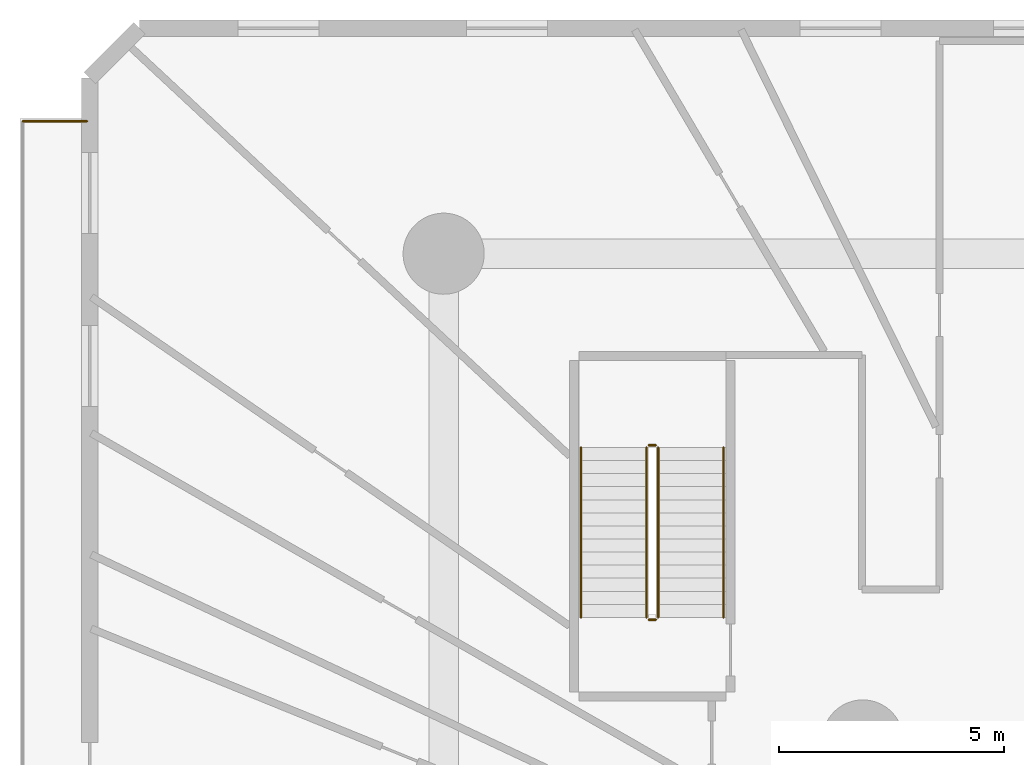
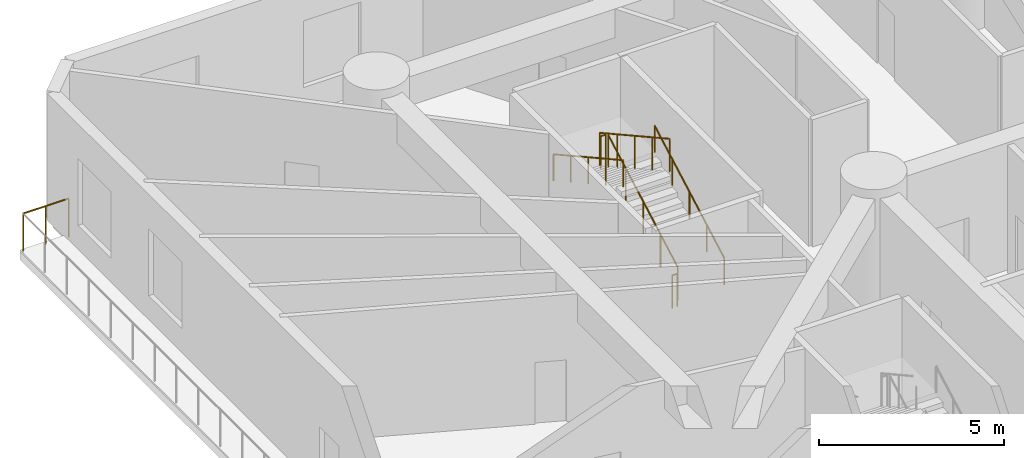
# One storey, part 24 of 26: 7 railings.
"""IFC4 building model written with IfcOpenShell, lengths in metres."""

from ifc_helpers import new_model, si_unit, direction, frame, origin, origin_2d, place, context, subcontext, project, spatial, circle, extrude, material, layer, layer_set, type_object, element, save


model = new_model("IFC4")

# Units and contexts
model_context = context("Model", 3, precision=1e-05, world=origin(), true_north=direction((0.0, 1.0)))
body_context = subcontext(model_context, "Body", "Model", "MODEL_VIEW")
ifc_project = project(units=[si_unit("LENGTHUNIT", "METRE"), si_unit("AREAUNIT", "SQUARE_METRE"), si_unit("VOLUMEUNIT", "CUBIC_METRE"), si_unit("PLANEANGLEUNIT", "RADIAN"), si_unit("MASSUNIT", "GRAM", prefix="KILO")], contexts=[model_context])

# Site, building, storey
site_placement = place(None, origin())
site = spatial("IfcSite", under=ifc_project, at=site_placement, CompositionType="ELEMENT")
building_placement = place(site_placement, origin())
building = spatial("IfcBuilding", under=site, at=building_placement, Name="Karkom Vertical University and Central Library", CompositionType="ELEMENT")
storey_placement = place(building_placement, frame((0.0, 0.0, 4.5)))
storey = spatial("IfcBuildingStorey", under=building, at=storey_placement, Name="L01", CompositionType="ELEMENT", Elevation=4.5)

# Railings
ifc_material_1 = material(Name="Architectural painted steel & laminated glass balustrade", Category="steel")
ifc_layer_1 = layer(ifc_material_1, 0.090087890625)
ifc_layer_set_1 = layer_set([ifc_layer_1], Name="Architectural painted steel & laminated glass balustrade")
railing_type_1 = type_object("IfcRailingType", Name="ENV-RL-BAL1300", PredefinedType="BALUSTRADE", material=ifc_layer_set_1)
railing_1_placement = place(storey_placement, frame((0.860107421875, 48.43994140625, 0.0)))
element("IfcRailing", 1, at=railing_1_placement, inside=storey, type_object=railing_type_1, Name="Level 01 Planted Terrace Safety Balustrade 02", PredefinedType="BALUSTRADE", context=body_context, shape_type="SweptSolid", body=[
    extrude(circle(Radius=0.02392578125, at=origin_2d()), frame((0.0, 0.0, 1.27587890625), z_axis=(1.0, 0.0, 0.0), x_axis=(0.0, 1.0, 0.0)), (0.0, 0.0, 1.0), 1.429931640625),
    extrude(circle(Radius=0.02099609375, at=origin_2d()), origin(), (0.0, 0.0, 1.0), 1.251953125),
    extrude(circle(Radius=0.02099609375, at=origin_2d()), frame((0.71484375, 0.0, 0.0)), (0.0, 0.0, 1.0), 1.251953125),
    extrude(circle(Radius=0.02099609375, at=origin_2d()), frame((1.429931640625, 0.0, 0.0)), (0.0, 0.0, 1.0), 1.251953125),
])
ifc_material_2 = material(Name="Painted galvanised steel balustrade", Category="steel")
ifc_layer_2 = layer(ifc_material_2, 0.06005859375)
ifc_layer_set_2 = layer_set([ifc_layer_2], Name="Painted galvanised steel balustrade")
railing_type_2 = type_object("IfcRailingType", Name="INT-RL-GUARD1100", PredefinedType="GUARDRAIL", material=ifc_layer_set_2)
railing_2_placement = place(storey_placement, frame((14.9599609375, 37.429931640625, 0.16064453125)))
element("IfcRailing", 2, at=railing_2_placement, inside=storey, type_object=railing_type_2, Name="Level 01 POD-ST2 stair guard 1", PredefinedType="GUARDRAIL", context=body_context, shape_type="SweptSolid", body=[
    extrude(circle(Radius=0.02392578125, at=origin_2d()), frame((0.0, 0.0, 1.076171875), z_axis=(0.0, 0.874659101714, 0.484738543742), x_axis=(-1.0, 0.0, 0.0)), (0.0, 0.0, 1.0), 4.310302734375),
    extrude(circle(Radius=0.02099609375, at=origin_2d()), origin(), (0.0, 0.0, 1.0), 1.052001953125),
    extrude(circle(Radius=0.02099609375, at=origin_2d()), frame((0.0, 0.9423828125, 0.5224609375)), (0.0, 0.0, 1.0), 1.052001953125),
    extrude(circle(Radius=0.02099609375, at=origin_2d()), frame((0.0, 1.885009765625, 1.044677734375)), (0.0, 0.0, 1.0), 1.052001953125),
    extrude(circle(Radius=0.02099609375, at=origin_2d()), frame((0.0, 2.82763671875, 1.56689453125)), (0.0, 0.0, 1.0), 1.052001953125),
    extrude(circle(Radius=0.02099609375, at=origin_2d()), frame((0.0, 3.77001953125, 2.08935546875)), (0.0, 0.0, 1.0), 1.052001953125),
])
railing_3_placement = place(storey_placement, frame((14.909912109375, 41.25, 2.25)))
element("IfcRailing", 3, at=railing_3_placement, inside=storey, type_object=railing_type_2, Name="Level 01 POD-ST2 stair guard 2", PredefinedType="GUARDRAIL", context=body_context, shape_type="SweptSolid", body=[
    extrude(circle(Radius=0.02392578125, at=origin_2d()), frame((0.0, 0.0, 1.076171875), z_axis=(-1.0, 0.0, 0.0), x_axis=(0.0, -1.0, 0.0)), (0.0, 0.0, 1.0), 0.159912109375),
    extrude(circle(Radius=0.02099609375, at=origin_2d()), origin(), (0.0, 0.0, 1.0), 1.052001953125),
    extrude(circle(Radius=0.02099609375, at=origin_2d()), frame((-0.159912109375, 0.0, 0.0)), (0.0, 0.0, 1.0), 1.052001953125),
])
railing_4_placement = place(storey_placement, frame((14.699951171875, 41.199951171875, 2.41064453125)))
element("IfcRailing", 4, at=railing_4_placement, inside=storey, type_object=railing_type_2, Name="Level 01 POD-ST2 stair guard 3", PredefinedType="GUARDRAIL", context=body_context, shape_type="SweptSolid", body=[
    extrude(circle(Radius=0.02392578125, at=origin_2d()), frame((0.0, 0.0, 1.076171875), z_axis=(0.0, -0.874659101714, 0.484738543742), x_axis=(1.0, 0.0, 0.0)), (0.0, 0.0, 1.0), 4.310302734375),
    extrude(circle(Radius=0.02099609375, at=origin_2d()), origin(), (0.0, 0.0, 1.0), 1.052001953125),
    extrude(circle(Radius=0.02099609375, at=origin_2d()), frame((0.0, -0.9423828125, 0.5224609375)), (0.0, 0.0, 1.0), 1.052001953125),
    extrude(circle(Radius=0.02099609375, at=origin_2d()), frame((0.0, -1.885009765625, 1.044677734375)), (0.0, 0.0, 1.0), 1.052001953125),
    extrude(circle(Radius=0.02099609375, at=origin_2d()), frame((0.0, -2.82763671875, 1.56689453125)), (0.0, 0.0, 1.0), 1.052001953125),
    extrude(circle(Radius=0.02099609375, at=origin_2d()), frame((0.0, -3.77001953125, 2.08935546875)), (0.0, 0.0, 1.0), 1.052001953125),
])
railing_5_placement = place(storey_placement, frame((14.909912109375, 37.3798828125, 0.0)))
element("IfcRailing", 5, at=railing_5_placement, inside=storey, type_object=railing_type_2, Name="Level 01 POD-ST2 stair guard 4", PredefinedType="GUARDRAIL", context=body_context, shape_type="SweptSolid", body=[
    extrude(circle(Radius=0.02392578125, at=origin_2d()), frame((0.0, 0.0, 1.076171875), z_axis=(-1.0, 0.0, 0.0), x_axis=(0.0, -1.0, 0.0)), (0.0, 0.0, 1.0), 0.159912109375),
    extrude(circle(Radius=0.02099609375, at=origin_2d()), origin(), (0.0, 0.0, 1.0), 1.052001953125),
    extrude(circle(Radius=0.02099609375, at=origin_2d()), frame((-0.159912109375, 0.0, 0.0)), (0.0, 0.0, 1.0), 1.052001953125),
])
ifc_material_3 = material(Name="Brushed stainless-steel tubular handrail", Category="steel")
ifc_layer_3 = layer(ifc_material_3, 0.048095703125)
ifc_layer_set_3 = layer_set([ifc_layer_3], Name="Brushed stainless-steel tubular handrail")
railing_type_3 = type_object("IfcRailingType", Name="INT-RL-HAND920", PredefinedType="HANDRAIL", material=ifc_layer_set_3)
railing_6_placement = place(storey_placement, frame((16.409912109375, 37.429931640625, 0.16064453125)))
element("IfcRailing", 6, at=railing_6_placement, inside=storey, type_object=railing_type_3, Name="Level 01 POD-ST2 stair handrail 1", PredefinedType="HANDRAIL", context=body_context, shape_type="SweptSolid", body=[
    extrude(circle(Radius=0.02392578125, at=origin_2d()), frame((0.0, 0.0, 0.8759765625), z_axis=(0.0, 0.874659101714, 0.484738543742), x_axis=(-1.0, 0.0, 0.0)), (0.0, 0.0, 1.0), 4.310302734375),
    extrude(circle(Radius=0.02099609375, at=origin_2d()), origin(), (0.0, 0.0, 1.0), 0.851806640625),
    extrude(circle(Radius=0.02099609375, at=origin_2d()), frame((0.0, 0.9423828125, 0.5224609375)), (0.0, 0.0, 1.0), 0.851806640625),
    extrude(circle(Radius=0.02099609375, at=origin_2d()), frame((0.0, 1.885009765625, 1.044677734375)), (0.0, 0.0, 1.0), 0.851806640625),
    extrude(circle(Radius=0.02099609375, at=origin_2d()), frame((0.0, 2.82763671875, 1.56689453125)), (0.0, 0.0, 1.0), 0.851806640625),
    extrude(circle(Radius=0.02099609375, at=origin_2d()), frame((0.0, 3.77001953125, 2.08935546875)), (0.0, 0.0, 1.0), 0.851806640625),
])
railing_7_placement = place(storey_placement, frame((13.25, 41.199951171875, 2.41064453125)))
element("IfcRailing", 7, at=railing_7_placement, inside=storey, type_object=railing_type_3, Name="Level 01 POD-ST2 stair handrail 2", PredefinedType="HANDRAIL", context=body_context, shape_type="SweptSolid", body=[
    extrude(circle(Radius=0.02392578125, at=origin_2d()), frame((0.0, 0.0, 0.8759765625), z_axis=(0.0, -0.874659101714, 0.484738543742), x_axis=(1.0, 0.0, 0.0)), (0.0, 0.0, 1.0), 4.310302734375),
    extrude(circle(Radius=0.02099609375, at=origin_2d()), origin(), (0.0, 0.0, 1.0), 0.851806640625),
    extrude(circle(Radius=0.02099609375, at=origin_2d()), frame((0.0, -0.9423828125, 0.5224609375)), (0.0, 0.0, 1.0), 0.851806640625),
    extrude(circle(Radius=0.02099609375, at=origin_2d()), frame((0.0, -1.885009765625, 1.044677734375)), (0.0, 0.0, 1.0), 0.851806640625),
    extrude(circle(Radius=0.02099609375, at=origin_2d()), frame((0.0, -2.82763671875, 1.56689453125)), (0.0, 0.0, 1.0), 0.851806640625),
    extrude(circle(Radius=0.02099609375, at=origin_2d()), frame((0.0, -3.77001953125, 2.08935546875)), (0.0, 0.0, 1.0), 0.851806640625),
])

save(model, "model.ifc")
